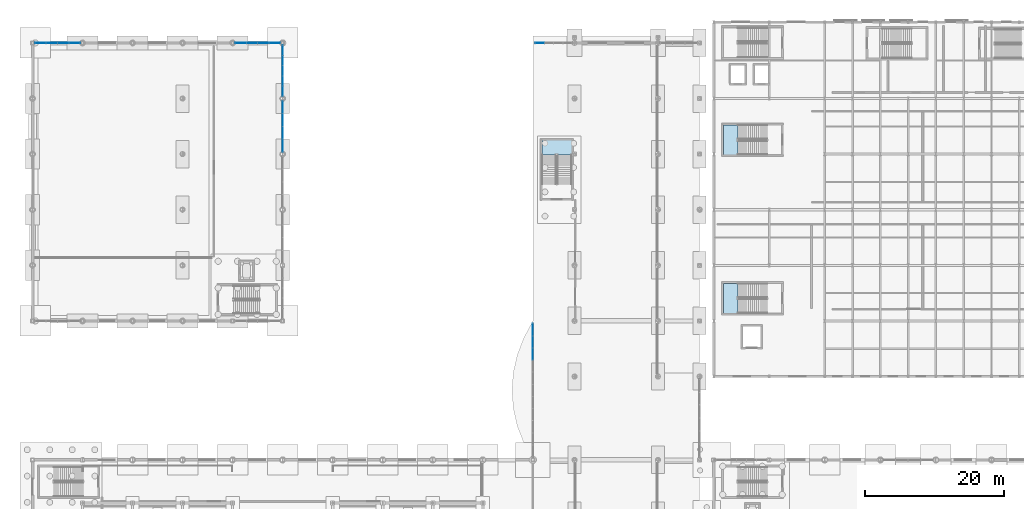
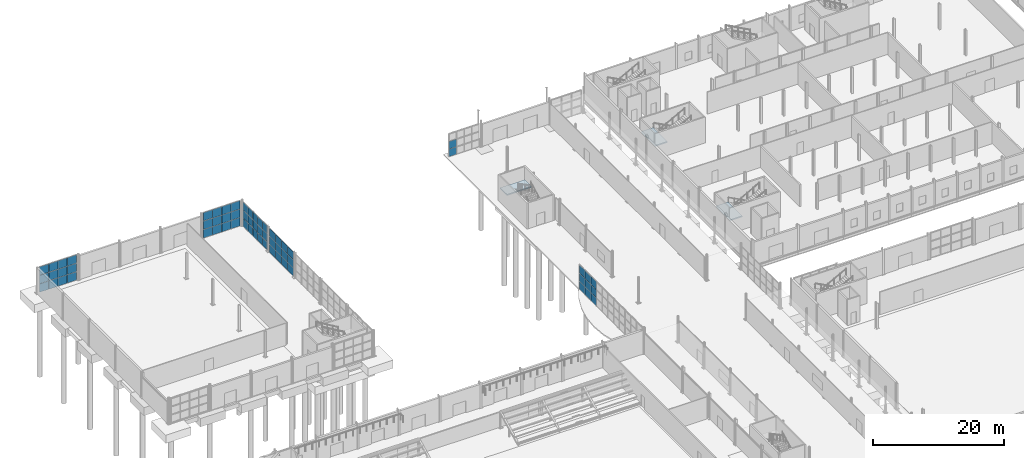
# One storey, part 66 of 101: 62 plates, 3 slabs, 9 elements without a shape of their own.
"""IFC4 building model written with IfcOpenShell, lengths in metres."""

from ifc_helpers import new_model, si_unit, derived_unit, direction, frame, origin, origin_2d, place, context, subcontext, project, spatial, polyline, rectangle, outline, extrude, material, layer, layer_set, type_object, element, aggregate, save


model = new_model("IFC4")

# Units and contexts
model_context = context("Model", 3, precision=1e-05, world=origin(), true_north=direction((0.0, 1.0)))
body_context = subcontext(model_context, "Body", "Model", "MODEL_VIEW")
ifc_project = project(units=[si_unit("LENGTHUNIT", "METRE"), si_unit("AREAUNIT", "SQUARE_METRE"), si_unit("VOLUMEUNIT", "CUBIC_METRE"), si_unit("PLANEANGLEUNIT", "RADIAN"), si_unit("MASSUNIT", "GRAM", prefix="KILO"), derived_unit("THERMALTRANSMITTANCEUNIT", [(si_unit("POWERUNIT", "WATT"), 1), (si_unit("LENGTHUNIT", "METRE"), -2), (si_unit("THERMODYNAMICTEMPERATUREUNIT", "KELVIN"), -1)])], contexts=[model_context])

# Site, building, storey
site_placement = place(None, origin())
site = spatial("IfcSite", under=ifc_project, at=site_placement, CompositionType="ELEMENT")
building_placement = place(site_placement, origin())
building = spatial("IfcBuilding", under=site, at=building_placement, Name="Keldorne Ridge Multi-Sports Centre", CompositionType="ELEMENT")
storey_placement = place(building_placement, origin())
storey = spatial("IfcBuildingStorey", under=building, at=storey_placement, Name="L00", CompositionType="ELEMENT", Elevation=0.0)

# Curtain wall, plates
ifc_material_1 = material(Name="Anodized aluminium", Category="aluminium")
curtain_wall_type_1 = type_object("IfcCurtainWallType", Name="CW-CW-03", PredefinedType="NOTDEFINED", material=ifc_material_1)
curtain_wall_1_placement = place(storey_placement, origin())
curtain_wall_1 = element("IfcCurtainWall", 1, at=curtain_wall_1_placement, inside=storey, type_object=curtain_wall_type_1, Name="Climbing east courtyard glazing L00 067", PredefinedType="NOTDEFINED")
ifc_material_2 = material(Name="Double low-e insulated glazing", Category="glass")
ifc_layer_1 = layer(ifc_material_2, 0.035888671875)
ifc_layer_set_1 = layer_set([ifc_layer_1])
plate_type_1 = type_object("IfcPlateType", Name="PLT-GL-01", PredefinedType="CURTAIN_PANEL", material=ifc_layer_set_1)
plate_1_placement = place(storey_placement, frame((42.0, 99.2548828125, 0.02001953125), z_axis=(0.0, 0.0, 1.0), x_axis=(0.0, 1.0, 0.0)))
plate_1 = element("IfcPlate", 2, at=plate_1_placement, type_object=plate_type_1, Name="CW-067 glazed panel 1.1", PredefinedType="CURTAIN_PANEL", context=body_context, shape_type="SweptSolid", body=[
    extrude(rectangle(XDim=1.7900390625, YDim=0.035888671875, at=origin_2d()), origin(), (0.0, 0.0, 1.0), 1.476806640625),
])
plate_2_placement = place(storey_placement, frame((42.0, 99.2548828125, 1.53662109375), z_axis=(0.0, 0.0, 1.0), x_axis=(0.0, 1.0, 0.0)))
plate_2 = element("IfcPlate", 3, at=plate_2_placement, type_object=plate_type_1, Name="CW-067 glazed panel 1.2", PredefinedType="CURTAIN_PANEL", context=body_context, shape_type="SweptSolid", body=[
    extrude(rectangle(XDim=1.7900390625, YDim=0.035888671875, at=origin_2d()), origin(), (0.0, 0.0, 1.0), 1.476806640625),
])
plate_3_placement = place(storey_placement, frame((42.0, 99.2548828125, 3.05322265625), z_axis=(0.0, 0.0, 1.0), x_axis=(0.0, 1.0, 0.0)))
plate_3 = element("IfcPlate", 4, at=plate_3_placement, type_object=plate_type_1, Name="CW-067 glazed panel 1.3", PredefinedType="CURTAIN_PANEL", context=body_context, shape_type="SweptSolid", body=[
    extrude(rectangle(XDim=1.7900390625, YDim=0.035888671875, at=origin_2d()), origin(), (0.0, 0.0, 1.0), 1.476806640625),
])
plate_4_placement = place(storey_placement, frame((42.0, 101.0849609375, 0.02001953125), z_axis=(0.0, 0.0, 1.0), x_axis=(0.0, 1.0, 0.0)))
plate_4 = element("IfcPlate", 5, at=plate_4_placement, type_object=plate_type_1, Name="CW-067 glazed panel 2.1", PredefinedType="CURTAIN_PANEL", context=body_context, shape_type="SweptSolid", body=[
    extrude(rectangle(XDim=1.7900390625, YDim=0.035888671875, at=origin_2d()), origin(), (0.0, 0.0, 1.0), 1.476806640625),
])
plate_5_placement = place(storey_placement, frame((42.0, 101.0849609375, 1.53662109375), z_axis=(0.0, 0.0, 1.0), x_axis=(0.0, 1.0, 0.0)))
plate_5 = element("IfcPlate", 6, at=plate_5_placement, type_object=plate_type_1, Name="CW-067 glazed panel 2.2", PredefinedType="CURTAIN_PANEL", context=body_context, shape_type="SweptSolid", body=[
    extrude(rectangle(XDim=1.7900390625, YDim=0.035888671875, at=origin_2d()), origin(), (0.0, 0.0, 1.0), 1.476806640625),
])
plate_6_placement = place(storey_placement, frame((42.0, 101.0849609375, 3.05322265625), z_axis=(0.0, 0.0, 1.0), x_axis=(0.0, 1.0, 0.0)))
plate_6 = element("IfcPlate", 7, at=plate_6_placement, type_object=plate_type_1, Name="CW-067 glazed panel 2.3", PredefinedType="CURTAIN_PANEL", context=body_context, shape_type="SweptSolid", body=[
    extrude(rectangle(XDim=1.7900390625, YDim=0.035888671875, at=origin_2d()), origin(), (0.0, 0.0, 1.0), 1.476806640625),
])
plate_7_placement = place(storey_placement, frame((42.0, 102.9150390625, 0.02001953125), z_axis=(0.0, 0.0, 1.0), x_axis=(0.0, 1.0, 0.0)))
plate_7 = element("IfcPlate", 8, at=plate_7_placement, type_object=plate_type_1, Name="CW-067 glazed panel 3.1", PredefinedType="CURTAIN_PANEL", context=body_context, shape_type="SweptSolid", body=[
    extrude(rectangle(XDim=1.7900390625, YDim=0.035888671875, at=origin_2d()), origin(), (0.0, 0.0, 1.0), 1.476806640625),
])
plate_8_placement = place(storey_placement, frame((42.0, 102.9150390625, 1.53662109375), z_axis=(0.0, 0.0, 1.0), x_axis=(0.0, 1.0, 0.0)))
plate_8 = element("IfcPlate", 9, at=plate_8_placement, type_object=plate_type_1, Name="CW-067 glazed panel 3.2", PredefinedType="CURTAIN_PANEL", context=body_context, shape_type="SweptSolid", body=[
    extrude(rectangle(XDim=1.7900390625, YDim=0.035888671875, at=origin_2d()), origin(), (0.0, 0.0, 1.0), 1.476806640625),
])
plate_9_placement = place(storey_placement, frame((42.0, 102.9150390625, 3.05322265625), z_axis=(0.0, 0.0, 1.0), x_axis=(0.0, 1.0, 0.0)))
plate_9 = element("IfcPlate", 10, at=plate_9_placement, type_object=plate_type_1, Name="CW-067 glazed panel 3.3", PredefinedType="CURTAIN_PANEL", context=body_context, shape_type="SweptSolid", body=[
    extrude(rectangle(XDim=1.7900390625, YDim=0.035888671875, at=origin_2d()), origin(), (0.0, 0.0, 1.0), 1.476806640625),
])
plate_10_placement = place(storey_placement, frame((42.0, 104.7451171875, 0.02001953125), z_axis=(0.0, 0.0, 1.0), x_axis=(0.0, 1.0, 0.0)))
plate_10 = element("IfcPlate", 11, at=plate_10_placement, type_object=plate_type_1, Name="CW-067 glazed panel 4.1", PredefinedType="CURTAIN_PANEL", context=body_context, shape_type="SweptSolid", body=[
    extrude(rectangle(XDim=1.7900390625, YDim=0.035888671875, at=origin_2d()), origin(), (0.0, 0.0, 1.0), 1.476806640625),
])
plate_11_placement = place(storey_placement, frame((42.0, 104.7451171875, 1.53662109375), z_axis=(0.0, 0.0, 1.0), x_axis=(0.0, 1.0, 0.0)))
plate_11 = element("IfcPlate", 12, at=plate_11_placement, type_object=plate_type_1, Name="CW-067 glazed panel 4.2", PredefinedType="CURTAIN_PANEL", context=body_context, shape_type="SweptSolid", body=[
    extrude(rectangle(XDim=1.7900390625, YDim=0.035888671875, at=origin_2d()), origin(), (0.0, 0.0, 1.0), 1.476806640625),
])
plate_12_placement = place(storey_placement, frame((42.0, 104.7451171875, 3.05322265625), z_axis=(0.0, 0.0, 1.0), x_axis=(0.0, 1.0, 0.0)))
plate_12 = element("IfcPlate", 13, at=plate_12_placement, type_object=plate_type_1, Name="CW-067 glazed panel 4.3", PredefinedType="CURTAIN_PANEL", context=body_context, shape_type="SweptSolid", body=[
    extrude(rectangle(XDim=1.7900390625, YDim=0.035888671875, at=origin_2d()), origin(), (0.0, 0.0, 1.0), 1.476806640625),
])
aggregate(curtain_wall_1, [plate_1, plate_2, plate_3, plate_4, plate_5, plate_6, plate_7, plate_8, plate_9, plate_10, plate_11, plate_12])

curtain_wall_type_2 = type_object("IfcCurtainWallType", Name="CW-CW-06", PredefinedType="NOTDEFINED", material=ifc_material_1)
curtain_wall_2_placement = place(storey_placement, origin())
curtain_wall_2 = element("IfcCurtainWall", 14, at=curtain_wall_2_placement, inside=storey, type_object=curtain_wall_type_2, Name="Climbing east courtyard glazing L00 070", PredefinedType="NOTDEFINED")
plate_13_placement = place(storey_placement, frame((42.0, 107.072021484375, 0.02001953125), z_axis=(0.0, 0.0, 1.0), x_axis=(0.0, 1.0, 0.0)))
plate_13 = element("IfcPlate", 15, at=plate_13_placement, type_object=plate_type_1, Name="CW-070 glazed panel 1.1", PredefinedType="CURTAIN_PANEL", context=body_context, shape_type="SweptSolid", body=[
    extrude(rectangle(XDim=1.424072265625, YDim=0.035888671875, at=origin_2d()), origin(), (0.0, 0.0, 1.0), 1.476806640625),
])
plate_14_placement = place(storey_placement, frame((42.0, 107.072021484375, 1.53662109375), z_axis=(0.0, 0.0, 1.0), x_axis=(0.0, 1.0, 0.0)))
plate_14 = element("IfcPlate", 16, at=plate_14_placement, type_object=plate_type_1, Name="CW-070 glazed panel 1.2", PredefinedType="CURTAIN_PANEL", context=body_context, shape_type="SweptSolid", body=[
    extrude(rectangle(XDim=1.424072265625, YDim=0.035888671875, at=origin_2d()), origin(), (0.0, 0.0, 1.0), 1.476806640625),
])
plate_15_placement = place(storey_placement, frame((42.0, 107.072021484375, 3.05322265625), z_axis=(0.0, 0.0, 1.0), x_axis=(0.0, 1.0, 0.0)))
plate_15 = element("IfcPlate", 17, at=plate_15_placement, type_object=plate_type_1, Name="CW-070 glazed panel 1.3", PredefinedType="CURTAIN_PANEL", context=body_context, shape_type="SweptSolid", body=[
    extrude(rectangle(XDim=1.424072265625, YDim=0.035888671875, at=origin_2d()), origin(), (0.0, 0.0, 1.0), 1.476806640625),
])
plate_16_placement = place(storey_placement, frame((42.0, 108.535888671875, 0.02001953125), z_axis=(0.0, 0.0, 1.0), x_axis=(0.0, 1.0, 0.0)))
plate_16 = element("IfcPlate", 18, at=plate_16_placement, type_object=plate_type_1, Name="CW-070 glazed panel 2.1", PredefinedType="CURTAIN_PANEL", context=body_context, shape_type="SweptSolid", body=[
    extrude(rectangle(XDim=1.424072265625, YDim=0.035888671875, at=origin_2d()), origin(), (0.0, 0.0, 1.0), 1.476806640625),
])
plate_17_placement = place(storey_placement, frame((42.0, 108.535888671875, 1.53662109375), z_axis=(0.0, 0.0, 1.0), x_axis=(0.0, 1.0, 0.0)))
plate_17 = element("IfcPlate", 19, at=plate_17_placement, type_object=plate_type_1, Name="CW-070 glazed panel 2.2", PredefinedType="CURTAIN_PANEL", context=body_context, shape_type="SweptSolid", body=[
    extrude(rectangle(XDim=1.424072265625, YDim=0.035888671875, at=origin_2d()), origin(), (0.0, 0.0, 1.0), 1.476806640625),
])
plate_18_placement = place(storey_placement, frame((42.0, 108.535888671875, 3.05322265625), z_axis=(0.0, 0.0, 1.0), x_axis=(0.0, 1.0, 0.0)))
plate_18 = element("IfcPlate", 20, at=plate_18_placement, type_object=plate_type_1, Name="CW-070 glazed panel 2.3", PredefinedType="CURTAIN_PANEL", context=body_context, shape_type="SweptSolid", body=[
    extrude(rectangle(XDim=1.424072265625, YDim=0.035888671875, at=origin_2d()), origin(), (0.0, 0.0, 1.0), 1.476806640625),
])
plate_19_placement = place(storey_placement, frame((42.0, 110.0, 0.02001953125), z_axis=(0.0, 0.0, 1.0), x_axis=(0.0, 1.0, 0.0)))
plate_19 = element("IfcPlate", 21, at=plate_19_placement, type_object=plate_type_1, Name="CW-070 glazed panel 3.1", PredefinedType="CURTAIN_PANEL", context=body_context, shape_type="SweptSolid", body=[
    extrude(rectangle(XDim=1.424072265625, YDim=0.035888671875, at=origin_2d()), origin(), (0.0, 0.0, 1.0), 1.476806640625),
])
plate_20_placement = place(storey_placement, frame((42.0, 110.0, 1.53662109375), z_axis=(0.0, 0.0, 1.0), x_axis=(0.0, 1.0, 0.0)))
plate_20 = element("IfcPlate", 22, at=plate_20_placement, type_object=plate_type_1, Name="CW-070 glazed panel 3.2", PredefinedType="CURTAIN_PANEL", context=body_context, shape_type="SweptSolid", body=[
    extrude(rectangle(XDim=1.424072265625, YDim=0.035888671875, at=origin_2d()), origin(), (0.0, 0.0, 1.0), 1.476806640625),
])
plate_21_placement = place(storey_placement, frame((42.0, 110.0, 3.05322265625), z_axis=(0.0, 0.0, 1.0), x_axis=(0.0, 1.0, 0.0)))
plate_21 = element("IfcPlate", 23, at=plate_21_placement, type_object=plate_type_1, Name="CW-070 glazed panel 3.3", PredefinedType="CURTAIN_PANEL", context=body_context, shape_type="SweptSolid", body=[
    extrude(rectangle(XDim=1.424072265625, YDim=0.035888671875, at=origin_2d()), origin(), (0.0, 0.0, 1.0), 1.476806640625),
])
plate_22_placement = place(storey_placement, frame((42.0, 111.464111328125, 0.02001953125), z_axis=(0.0, 0.0, 1.0), x_axis=(0.0, 1.0, 0.0)))
plate_22 = element("IfcPlate", 24, at=plate_22_placement, type_object=plate_type_1, Name="CW-070 glazed panel 4.1", PredefinedType="CURTAIN_PANEL", context=body_context, shape_type="SweptSolid", body=[
    extrude(rectangle(XDim=1.424072265625, YDim=0.035888671875, at=origin_2d()), origin(), (0.0, 0.0, 1.0), 1.476806640625),
])
plate_23_placement = place(storey_placement, frame((42.0, 111.464111328125, 1.53662109375), z_axis=(0.0, 0.0, 1.0), x_axis=(0.0, 1.0, 0.0)))
plate_23 = element("IfcPlate", 25, at=plate_23_placement, type_object=plate_type_1, Name="CW-070 glazed panel 4.2", PredefinedType="CURTAIN_PANEL", context=body_context, shape_type="SweptSolid", body=[
    extrude(rectangle(XDim=1.424072265625, YDim=0.035888671875, at=origin_2d()), origin(), (0.0, 0.0, 1.0), 1.476806640625),
])
plate_24_placement = place(storey_placement, frame((42.0, 111.464111328125, 3.05322265625), z_axis=(0.0, 0.0, 1.0), x_axis=(0.0, 1.0, 0.0)))
plate_24 = element("IfcPlate", 26, at=plate_24_placement, type_object=plate_type_1, Name="CW-070 glazed panel 4.3", PredefinedType="CURTAIN_PANEL", context=body_context, shape_type="SweptSolid", body=[
    extrude(rectangle(XDim=1.424072265625, YDim=0.035888671875, at=origin_2d()), origin(), (0.0, 0.0, 1.0), 1.476806640625),
])
plate_25_placement = place(storey_placement, frame((42.0, 112.927978515625, 0.02001953125), z_axis=(0.0, 0.0, 1.0), x_axis=(0.0, 1.0, 0.0)))
plate_25 = element("IfcPlate", 27, at=plate_25_placement, type_object=plate_type_1, Name="CW-070 glazed panel 5.1", PredefinedType="CURTAIN_PANEL", context=body_context, shape_type="SweptSolid", body=[
    extrude(rectangle(XDim=1.424072265625, YDim=0.035888671875, at=origin_2d()), origin(), (0.0, 0.0, 1.0), 1.476806640625),
])
plate_26_placement = place(storey_placement, frame((42.0, 112.927978515625, 1.53662109375), z_axis=(0.0, 0.0, 1.0), x_axis=(0.0, 1.0, 0.0)))
plate_26 = element("IfcPlate", 28, at=plate_26_placement, type_object=plate_type_1, Name="CW-070 glazed panel 5.2", PredefinedType="CURTAIN_PANEL", context=body_context, shape_type="SweptSolid", body=[
    extrude(rectangle(XDim=1.424072265625, YDim=0.035888671875, at=origin_2d()), origin(), (0.0, 0.0, 1.0), 1.476806640625),
])
plate_27_placement = place(storey_placement, frame((42.0, 112.927978515625, 3.05322265625), z_axis=(0.0, 0.0, 1.0), x_axis=(0.0, 1.0, 0.0)))
plate_27 = element("IfcPlate", 29, at=plate_27_placement, type_object=plate_type_1, Name="CW-070 glazed panel 5.3", PredefinedType="CURTAIN_PANEL", context=body_context, shape_type="SweptSolid", body=[
    extrude(rectangle(XDim=1.424072265625, YDim=0.035888671875, at=origin_2d()), origin(), (0.0, 0.0, 1.0), 1.476806640625),
])
aggregate(curtain_wall_2, [plate_13, plate_14, plate_15, plate_16, plate_17, plate_18, plate_19, plate_20, plate_21, plate_22, plate_23, plate_24, plate_25, plate_26, plate_27])

curtain_wall_3_placement = place(storey_placement, origin())
curtain_wall_3 = element("IfcCurtainWall", 30, at=curtain_wall_3_placement, inside=storey, type_object=curtain_wall_type_1, Name="Passage west courtyard curtain wall L00 083", PredefinedType="NOTDEFINED")
plate_28_placement = place(storey_placement, frame((78.0, 72.727294921875, 0.02001953125), z_axis=(0.0, 0.0, 1.0), x_axis=(0.0, -1.0, 0.0)))
plate_28 = element("IfcPlate", 31, at=plate_28_placement, type_object=plate_type_1, Name="CW-083 glazed panel 1.1", PredefinedType="CURTAIN_PANEL", context=body_context, shape_type="SweptSolid", body=[
    extrude(rectangle(XDim=1.70556640625, YDim=0.035888671875, at=origin_2d()), origin(), (0.0, 0.0, 1.0), 1.476806640625),
])
plate_29_placement = place(storey_placement, frame((78.0, 72.727294921875, 1.53662109375), z_axis=(0.0, 0.0, 1.0), x_axis=(0.0, -1.0, 0.0)))
plate_29 = element("IfcPlate", 32, at=plate_29_placement, type_object=plate_type_1, Name="CW-083 glazed panel 1.2", PredefinedType="CURTAIN_PANEL", context=body_context, shape_type="SweptSolid", body=[
    extrude(rectangle(XDim=1.70556640625, YDim=0.035888671875, at=origin_2d()), origin(), (0.0, 0.0, 1.0), 1.476806640625),
])
plate_30_placement = place(storey_placement, frame((78.0, 72.727294921875, 3.05322265625), z_axis=(0.0, 0.0, 1.0), x_axis=(0.0, -1.0, 0.0)))
plate_30 = element("IfcPlate", 33, at=plate_30_placement, type_object=plate_type_1, Name="CW-083 glazed panel 1.3", PredefinedType="CURTAIN_PANEL", context=body_context, shape_type="SweptSolid", body=[
    extrude(rectangle(XDim=1.70556640625, YDim=0.035888671875, at=origin_2d()), origin(), (0.0, 0.0, 1.0), 1.476806640625),
])
plate_31_placement = place(storey_placement, frame((78.0, 70.981689453125, 0.02001953125), z_axis=(0.0, 0.0, 1.0), x_axis=(0.0, -1.0, 0.0)))
plate_31 = element("IfcPlate", 34, at=plate_31_placement, type_object=plate_type_1, Name="CW-083 glazed panel 2.1", PredefinedType="CURTAIN_PANEL", context=body_context, shape_type="SweptSolid", body=[
    extrude(rectangle(XDim=1.70556640625, YDim=0.035888671875, at=origin_2d()), origin(), (0.0, 0.0, 1.0), 1.476806640625),
])
plate_32_placement = place(storey_placement, frame((78.0, 70.981689453125, 1.53662109375), z_axis=(0.0, 0.0, 1.0), x_axis=(0.0, -1.0, 0.0)))
plate_32 = element("IfcPlate", 35, at=plate_32_placement, type_object=plate_type_1, Name="CW-083 glazed panel 2.2", PredefinedType="CURTAIN_PANEL", context=body_context, shape_type="SweptSolid", body=[
    extrude(rectangle(XDim=1.70556640625, YDim=0.035888671875, at=origin_2d()), origin(), (0.0, 0.0, 1.0), 1.476806640625),
])
plate_33_placement = place(storey_placement, frame((78.0, 70.981689453125, 3.05322265625), z_axis=(0.0, 0.0, 1.0), x_axis=(0.0, -1.0, 0.0)))
plate_33 = element("IfcPlate", 36, at=plate_33_placement, type_object=plate_type_1, Name="CW-083 glazed panel 2.3", PredefinedType="CURTAIN_PANEL", context=body_context, shape_type="SweptSolid", body=[
    extrude(rectangle(XDim=1.70556640625, YDim=0.035888671875, at=origin_2d()), origin(), (0.0, 0.0, 1.0), 1.476806640625),
])
plate_34_placement = place(storey_placement, frame((78.0, 69.236328125, 0.02001953125), z_axis=(0.0, 0.0, 1.0), x_axis=(0.0, -1.0, 0.0)))
plate_34 = element("IfcPlate", 37, at=plate_34_placement, type_object=plate_type_1, Name="CW-083 glazed panel 3.1", PredefinedType="CURTAIN_PANEL", context=body_context, shape_type="SweptSolid", body=[
    extrude(rectangle(XDim=1.70556640625, YDim=0.035888671875, at=origin_2d()), origin(), (0.0, 0.0, 1.0), 1.476806640625),
])
plate_35_placement = place(storey_placement, frame((78.0, 69.236328125, 1.53662109375), z_axis=(0.0, 0.0, 1.0), x_axis=(0.0, -1.0, 0.0)))
plate_35 = element("IfcPlate", 38, at=plate_35_placement, type_object=plate_type_1, Name="CW-083 glazed panel 3.2", PredefinedType="CURTAIN_PANEL", context=body_context, shape_type="SweptSolid", body=[
    extrude(rectangle(XDim=1.70556640625, YDim=0.035888671875, at=origin_2d()), origin(), (0.0, 0.0, 1.0), 1.476806640625),
])
plate_36_placement = place(storey_placement, frame((78.0, 69.236328125, 3.05322265625), z_axis=(0.0, 0.0, 1.0), x_axis=(0.0, -1.0, 0.0)))
plate_36 = element("IfcPlate", 39, at=plate_36_placement, type_object=plate_type_1, Name="CW-083 glazed panel 3.3", PredefinedType="CURTAIN_PANEL", context=body_context, shape_type="SweptSolid", body=[
    extrude(rectangle(XDim=1.70556640625, YDim=0.035888671875, at=origin_2d()), origin(), (0.0, 0.0, 1.0), 1.476806640625),
])
aggregate(curtain_wall_3, [plate_28, plate_29, plate_30, plate_31, plate_32, plate_33, plate_34, plate_35, plate_36])

curtain_wall_type_3 = type_object("IfcCurtainWallType", Name="CW-CW-05", PredefinedType="NOTDEFINED", material=ifc_material_1)
curtain_wall_4_placement = place(storey_placement, origin())
curtain_wall_4 = element("IfcCurtainWall", 40, at=curtain_wall_4_placement, inside=storey, type_object=curtain_wall_type_3, Name="Climbing north glazing L00 037", PredefinedType="NOTDEFINED")
ifc_material_3 = material(Name="Triple acoustic low-e glazing", Category="glass")
ifc_layer_2 = layer(ifc_material_3, 0.0439453125)
ifc_layer_set_2 = layer_set([ifc_layer_2])
plate_type_2 = type_object("IfcPlateType", Name="PLT-GL-02", PredefinedType="CURTAIN_PANEL", material=ifc_layer_set_2)
plate_37_placement = place(storey_placement, frame((12.044921875, 114.0, 0.02001953125), z_axis=(0.0, 0.0, 1.0), x_axis=(-1.0, 0.0, 0.0)))
plate_37 = element("IfcPlate", 41, at=plate_37_placement, type_object=plate_type_2, Name="CW-037 glazed panel 1.1", PredefinedType="CURTAIN_PANEL", context=body_context, shape_type="SweptSolid", body=[
    extrude(rectangle(XDim=1.590087890625, YDim=0.0439453125, at=origin_2d()), origin(), (0.0, 0.0, 1.0), 1.543212890625),
])
plate_38_placement = place(storey_placement, frame((12.044921875, 114.0, 1.603515625), z_axis=(0.0, 0.0, 1.0), x_axis=(-1.0, 0.0, 0.0)))
plate_38 = element("IfcPlate", 42, at=plate_38_placement, type_object=plate_type_2, Name="CW-037 glazed panel 1.2", PredefinedType="CURTAIN_PANEL", context=body_context, shape_type="SweptSolid", body=[
    extrude(rectangle(XDim=1.590087890625, YDim=0.0439453125, at=origin_2d()), origin(), (0.0, 0.0, 1.0), 1.543212890625),
])
plate_39_placement = place(storey_placement, frame((12.044921875, 114.0, 3.1865234375), z_axis=(0.0, 0.0, 1.0), x_axis=(-1.0, 0.0, 0.0)))
plate_39 = element("IfcPlate", 43, at=plate_39_placement, type_object=plate_type_2, Name="CW-037 glazed panel 1.3", PredefinedType="CURTAIN_PANEL", context=body_context, shape_type="SweptSolid", body=[
    extrude(rectangle(XDim=1.590087890625, YDim=0.0439453125, at=origin_2d()), origin(), (0.0, 0.0, 1.0), 1.543212890625),
])
plate_40_placement = place(storey_placement, frame((10.4150390625, 114.0, 0.02001953125), z_axis=(0.0, 0.0, 1.0), x_axis=(-1.0, 0.0, 0.0)))
plate_40 = element("IfcPlate", 44, at=plate_40_placement, type_object=plate_type_2, Name="CW-037 glazed panel 2.1", PredefinedType="CURTAIN_PANEL", context=body_context, shape_type="SweptSolid", body=[
    extrude(rectangle(XDim=1.590087890625, YDim=0.0439453125, at=origin_2d()), origin(), (0.0, 0.0, 1.0), 1.543212890625),
])
plate_41_placement = place(storey_placement, frame((10.4150390625, 114.0, 1.603515625), z_axis=(0.0, 0.0, 1.0), x_axis=(-1.0, 0.0, 0.0)))
plate_41 = element("IfcPlate", 45, at=plate_41_placement, type_object=plate_type_2, Name="CW-037 glazed panel 2.2", PredefinedType="CURTAIN_PANEL", context=body_context, shape_type="SweptSolid", body=[
    extrude(rectangle(XDim=1.590087890625, YDim=0.0439453125, at=origin_2d()), origin(), (0.0, 0.0, 1.0), 1.543212890625),
])
plate_42_placement = place(storey_placement, frame((10.4150390625, 114.0, 3.1865234375), z_axis=(0.0, 0.0, 1.0), x_axis=(-1.0, 0.0, 0.0)))
plate_42 = element("IfcPlate", 46, at=plate_42_placement, type_object=plate_type_2, Name="CW-037 glazed panel 2.3", PredefinedType="CURTAIN_PANEL", context=body_context, shape_type="SweptSolid", body=[
    extrude(rectangle(XDim=1.590087890625, YDim=0.0439453125, at=origin_2d()), origin(), (0.0, 0.0, 1.0), 1.543212890625),
])
plate_43_placement = place(storey_placement, frame((8.784912109375, 114.0, 0.02001953125), z_axis=(0.0, 0.0, 1.0), x_axis=(-1.0, 0.0, 0.0)))
plate_43 = element("IfcPlate", 47, at=plate_43_placement, type_object=plate_type_2, Name="CW-037 glazed panel 3.1", PredefinedType="CURTAIN_PANEL", context=body_context, shape_type="SweptSolid", body=[
    extrude(rectangle(XDim=1.590087890625, YDim=0.0439453125, at=origin_2d()), origin(), (0.0, 0.0, 1.0), 1.543212890625),
])
plate_44_placement = place(storey_placement, frame((8.784912109375, 114.0, 1.603515625), z_axis=(0.0, 0.0, 1.0), x_axis=(-1.0, 0.0, 0.0)))
plate_44 = element("IfcPlate", 48, at=plate_44_placement, type_object=plate_type_2, Name="CW-037 glazed panel 3.2", PredefinedType="CURTAIN_PANEL", context=body_context, shape_type="SweptSolid", body=[
    extrude(rectangle(XDim=1.590087890625, YDim=0.0439453125, at=origin_2d()), origin(), (0.0, 0.0, 1.0), 1.543212890625),
])
plate_45_placement = place(storey_placement, frame((8.784912109375, 114.0, 3.1865234375), z_axis=(0.0, 0.0, 1.0), x_axis=(-1.0, 0.0, 0.0)))
plate_45 = element("IfcPlate", 49, at=plate_45_placement, type_object=plate_type_2, Name="CW-037 glazed panel 3.3", PredefinedType="CURTAIN_PANEL", context=body_context, shape_type="SweptSolid", body=[
    extrude(rectangle(XDim=1.590087890625, YDim=0.0439453125, at=origin_2d()), origin(), (0.0, 0.0, 1.0), 1.543212890625),
])
plate_46_placement = place(storey_placement, frame((7.155029296875, 114.0, 0.02001953125), z_axis=(0.0, 0.0, 1.0), x_axis=(-1.0, 0.0, 0.0)))
plate_46 = element("IfcPlate", 50, at=plate_46_placement, type_object=plate_type_2, Name="CW-037 glazed panel 4.1", PredefinedType="CURTAIN_PANEL", context=body_context, shape_type="SweptSolid", body=[
    extrude(rectangle(XDim=1.590087890625, YDim=0.0439453125, at=origin_2d()), origin(), (0.0, 0.0, 1.0), 1.543212890625),
])
plate_47_placement = place(storey_placement, frame((7.155029296875, 114.0, 1.603515625), z_axis=(0.0, 0.0, 1.0), x_axis=(-1.0, 0.0, 0.0)))
plate_47 = element("IfcPlate", 51, at=plate_47_placement, type_object=plate_type_2, Name="CW-037 glazed panel 4.2", PredefinedType="CURTAIN_PANEL", context=body_context, shape_type="SweptSolid", body=[
    extrude(rectangle(XDim=1.590087890625, YDim=0.0439453125, at=origin_2d()), origin(), (0.0, 0.0, 1.0), 1.543212890625),
])
plate_48_placement = place(storey_placement, frame((7.155029296875, 114.0, 3.1865234375), z_axis=(0.0, 0.0, 1.0), x_axis=(-1.0, 0.0, 0.0)))
plate_48 = element("IfcPlate", 52, at=plate_48_placement, type_object=plate_type_2, Name="CW-037 glazed panel 4.3", PredefinedType="CURTAIN_PANEL", context=body_context, shape_type="SweptSolid", body=[
    extrude(rectangle(XDim=1.590087890625, YDim=0.0439453125, at=origin_2d()), origin(), (0.0, 0.0, 1.0), 1.543212890625),
])
aggregate(curtain_wall_4, [plate_37, plate_38, plate_39, plate_40, plate_41, plate_42, plate_43, plate_44, plate_45, plate_46, plate_47, plate_48])

curtain_wall_type_4 = type_object("IfcCurtainWallType", Name="CW-CW-07", PredefinedType="NOTDEFINED", material=ifc_material_1)
curtain_wall_5_placement = place(storey_placement, origin())
curtain_wall_5 = element("IfcCurtainWall", 53, at=curtain_wall_5_placement, inside=storey, type_object=curtain_wall_type_4, Name="Climbing north glazing L00 055", PredefinedType="NOTDEFINED")
plate_49_placement = place(storey_placement, frame((40.844970703125, 114.0, 0.02001953125), z_axis=(0.0, 0.0, 1.0), x_axis=(-1.0, 0.0, 0.0)))
plate_49 = element("IfcPlate", 54, at=plate_49_placement, type_object=plate_type_2, Name="CW-055 glazed panel 1.1", PredefinedType="CURTAIN_PANEL", context=body_context, shape_type="SweptSolid", body=[
    extrude(rectangle(XDim=1.590087890625, YDim=0.0439453125, at=origin_2d()), origin(), (0.0, 0.0, 1.0), 1.543212890625),
])
plate_50_placement = place(storey_placement, frame((40.844970703125, 114.0, 1.603515625), z_axis=(0.0, 0.0, 1.0), x_axis=(-1.0, 0.0, 0.0)))
plate_50 = element("IfcPlate", 55, at=plate_50_placement, type_object=plate_type_2, Name="CW-055 glazed panel 1.2", PredefinedType="CURTAIN_PANEL", context=body_context, shape_type="SweptSolid", body=[
    extrude(rectangle(XDim=1.590087890625, YDim=0.0439453125, at=origin_2d()), origin(), (0.0, 0.0, 1.0), 1.543212890625),
])
plate_51_placement = place(storey_placement, frame((40.844970703125, 114.0, 3.1865234375), z_axis=(0.0, 0.0, 1.0), x_axis=(-1.0, 0.0, 0.0)))
plate_51 = element("IfcPlate", 56, at=plate_51_placement, type_object=plate_type_2, Name="CW-055 glazed panel 1.3", PredefinedType="CURTAIN_PANEL", context=body_context, shape_type="SweptSolid", body=[
    extrude(rectangle(XDim=1.590087890625, YDim=0.0439453125, at=origin_2d()), origin(), (0.0, 0.0, 1.0), 1.543212890625),
])
plate_52_placement = place(storey_placement, frame((39.215087890625, 114.0, 0.02001953125), z_axis=(0.0, 0.0, 1.0), x_axis=(-1.0, 0.0, 0.0)))
plate_52 = element("IfcPlate", 57, at=plate_52_placement, type_object=plate_type_2, Name="CW-055 glazed panel 2.1", PredefinedType="CURTAIN_PANEL", context=body_context, shape_type="SweptSolid", body=[
    extrude(rectangle(XDim=1.590087890625, YDim=0.0439453125, at=origin_2d()), origin(), (0.0, 0.0, 1.0), 1.543212890625),
])
plate_53_placement = place(storey_placement, frame((39.215087890625, 114.0, 1.603515625), z_axis=(0.0, 0.0, 1.0), x_axis=(-1.0, 0.0, 0.0)))
plate_53 = element("IfcPlate", 58, at=plate_53_placement, type_object=plate_type_2, Name="CW-055 glazed panel 2.2", PredefinedType="CURTAIN_PANEL", context=body_context, shape_type="SweptSolid", body=[
    extrude(rectangle(XDim=1.590087890625, YDim=0.0439453125, at=origin_2d()), origin(), (0.0, 0.0, 1.0), 1.543212890625),
])
plate_54_placement = place(storey_placement, frame((39.215087890625, 114.0, 3.1865234375), z_axis=(0.0, 0.0, 1.0), x_axis=(-1.0, 0.0, 0.0)))
plate_54 = element("IfcPlate", 59, at=plate_54_placement, type_object=plate_type_2, Name="CW-055 glazed panel 2.3", PredefinedType="CURTAIN_PANEL", context=body_context, shape_type="SweptSolid", body=[
    extrude(rectangle(XDim=1.590087890625, YDim=0.0439453125, at=origin_2d()), origin(), (0.0, 0.0, 1.0), 1.543212890625),
])
plate_55_placement = place(storey_placement, frame((37.5849609375, 114.0, 0.02001953125), z_axis=(0.0, 0.0, 1.0), x_axis=(-1.0, 0.0, 0.0)))
plate_55 = element("IfcPlate", 60, at=plate_55_placement, type_object=plate_type_2, Name="CW-055 glazed panel 3.1", PredefinedType="CURTAIN_PANEL", context=body_context, shape_type="SweptSolid", body=[
    extrude(rectangle(XDim=1.590087890625, YDim=0.0439453125, at=origin_2d()), origin(), (0.0, 0.0, 1.0), 1.543212890625),
])
plate_56_placement = place(storey_placement, frame((37.5849609375, 114.0, 1.603515625), z_axis=(0.0, 0.0, 1.0), x_axis=(-1.0, 0.0, 0.0)))
plate_56 = element("IfcPlate", 61, at=plate_56_placement, type_object=plate_type_2, Name="CW-055 glazed panel 3.2", PredefinedType="CURTAIN_PANEL", context=body_context, shape_type="SweptSolid", body=[
    extrude(rectangle(XDim=1.590087890625, YDim=0.0439453125, at=origin_2d()), origin(), (0.0, 0.0, 1.0), 1.543212890625),
])
plate_57_placement = place(storey_placement, frame((37.5849609375, 114.0, 3.1865234375), z_axis=(0.0, 0.0, 1.0), x_axis=(-1.0, 0.0, 0.0)))
plate_57 = element("IfcPlate", 62, at=plate_57_placement, type_object=plate_type_2, Name="CW-055 glazed panel 3.3", PredefinedType="CURTAIN_PANEL", context=body_context, shape_type="SweptSolid", body=[
    extrude(rectangle(XDim=1.590087890625, YDim=0.0439453125, at=origin_2d()), origin(), (0.0, 0.0, 1.0), 1.543212890625),
])
plate_58_placement = place(storey_placement, frame((35.955078125, 114.0, 0.02001953125), z_axis=(0.0, 0.0, 1.0), x_axis=(-1.0, 0.0, 0.0)))
plate_58 = element("IfcPlate", 63, at=plate_58_placement, type_object=plate_type_2, Name="CW-055 glazed panel 4.1", PredefinedType="CURTAIN_PANEL", context=body_context, shape_type="SweptSolid", body=[
    extrude(rectangle(XDim=1.590087890625, YDim=0.0439453125, at=origin_2d()), origin(), (0.0, 0.0, 1.0), 1.543212890625),
])
plate_59_placement = place(storey_placement, frame((35.955078125, 114.0, 1.603515625), z_axis=(0.0, 0.0, 1.0), x_axis=(-1.0, 0.0, 0.0)))
plate_59 = element("IfcPlate", 64, at=plate_59_placement, type_object=plate_type_2, Name="CW-055 glazed panel 4.2", PredefinedType="CURTAIN_PANEL", context=body_context, shape_type="SweptSolid", body=[
    extrude(rectangle(XDim=1.590087890625, YDim=0.0439453125, at=origin_2d()), origin(), (0.0, 0.0, 1.0), 1.543212890625),
])
plate_60_placement = place(storey_placement, frame((35.955078125, 114.0, 3.1865234375), z_axis=(0.0, 0.0, 1.0), x_axis=(-1.0, 0.0, 0.0)))
plate_60 = element("IfcPlate", 65, at=plate_60_placement, type_object=plate_type_2, Name="CW-055 glazed panel 4.3", PredefinedType="CURTAIN_PANEL", context=body_context, shape_type="SweptSolid", body=[
    extrude(rectangle(XDim=1.590087890625, YDim=0.0439453125, at=origin_2d()), origin(), (0.0, 0.0, 1.0), 1.543212890625),
])
aggregate(curtain_wall_5, [plate_49, plate_50, plate_51, plate_52, plate_53, plate_54, plate_55, plate_56, plate_57, plate_58, plate_59, plate_60])

curtain_wall_type_5 = type_object("IfcCurtainWallType", Name="CW-CW-01", PredefinedType="NOTDEFINED", material=ifc_material_1)
curtain_wall_6_placement = place(storey_placement, origin())
curtain_wall_6 = element("IfcCurtainWall", 66, at=curtain_wall_6_placement, inside=storey, type_object=curtain_wall_type_5, Name="Public Passage N foyer glazing 081", PredefinedType="NOTDEFINED")
plate_61_placement = place(storey_placement, frame((79.0048828125, 114.0, 0.02001953125), z_axis=(0.0, 0.0, 1.0), x_axis=(-1.0, 0.0, 0.0)))
plate_61 = element("IfcPlate", 67, at=plate_61_placement, type_object=plate_type_2, Name="CW-081 glazed panel 4.1", PredefinedType="CURTAIN_PANEL", context=body_context, shape_type="SweptSolid", body=[
    extrude(rectangle(XDim=1.2900390625, YDim=0.0439453125, at=origin_2d()), origin(), (0.0, 0.0, 1.0), 1.393310546875),
])
plate_62_placement = place(storey_placement, frame((79.0048828125, 114.0, 1.453125), z_axis=(0.0, 0.0, 1.0), x_axis=(-1.0, 0.0, 0.0)))
plate_62 = element("IfcPlate", 68, at=plate_62_placement, type_object=plate_type_2, Name="CW-081 glazed panel 4.2", PredefinedType="CURTAIN_PANEL", context=body_context, shape_type="SweptSolid", body=[
    extrude(rectangle(XDim=1.2900390625, YDim=0.0439453125, at=origin_2d()), origin(), (0.0, 0.0, 1.0), 1.393310546875),
])
aggregate(curtain_wall_6, [plate_61, plate_62])

# Stair, slab
ifc_material_4 = material(Name="Concrete C35/45", Category="concrete")
stair_type = type_object("IfcStairType", Name="STR-S01", PredefinedType="HALF_TURN_STAIR", material=ifc_material_4)
stair_1_placement = place(storey_placement, origin())
stair_1 = element("IfcStair", 69, at=stair_1_placement, inside=storey, type_object=stair_type, Name="L00 East Wing South Core C2", PredefinedType="HALF_TURN_STAIR")
ifc_layer_3 = layer(ifc_material_4, 0.199951171875)
ifc_layer_set_3 = layer_set([ifc_layer_3], Name="Concrete C35/45")
slab_type = type_object("IfcSlabType", Name="SLB-LDG-01", PredefinedType="LANDING", material=ifc_layer_set_3)
slab_1_placement = place(storey_placement, frame((0.0, 0.0, 2.199951171875)))
slab_1 = element("IfcSlab", 70, at=slab_1_placement, type_object=slab_type, Name="ST-02 landing 1", PredefinedType="LANDING", context=body_context, shape_type="SweptSolid", body=[
    extrude(outline(polyline([(107.5, 79.39990234375), (105.39990234375, 79.39990234375), (105.39990234375, 75.10009765625), (107.5, 75.10009765625), (107.5, 79.39990234375)])), origin(), (0.0, 0.0, 1.0), 0.199951171875),
])
aggregate(stair_1, [slab_1])

stair_2_placement = place(storey_placement, origin())
stair_2 = element("IfcStair", 71, at=stair_2_placement, inside=storey, type_object=stair_type, Name="L00 North Foyer Concourse Stair ST-08", PredefinedType="HALF_TURN_STAIR")
slab_2_placement = place(storey_placement, frame((0.0, 0.0, 2.199951171875)))
slab_2 = element("IfcSlab", 72, at=slab_2_placement, type_object=slab_type, Name="ST-08 landing 1", PredefinedType="LANDING", context=body_context, shape_type="SweptSolid", body=[
    extrude(outline(polyline([(83.60009765625, 97.89990234375), (83.60009765625, 100.0), (79.300048828125, 100.0), (79.300048828125, 97.89990234375), (83.60009765625, 97.89990234375)])), origin(), (0.0, 0.0, 1.0), 0.199951171875),
])
aggregate(stair_2, [slab_2])

stair_3_placement = place(storey_placement, origin())
stair_3 = element("IfcStair", 73, at=stair_3_placement, inside=storey, type_object=stair_type, Name="L00 Mid-Wing Escape Stair ST-11", PredefinedType="HALF_TURN_STAIR")
slab_3_placement = place(storey_placement, frame((0.0, 0.0, 2.199951171875)))
slab_3 = element("IfcSlab", 74, at=slab_3_placement, type_object=slab_type, Name="ST-11 landing 1", PredefinedType="LANDING", context=body_context, shape_type="SweptSolid", body=[
    extrude(outline(polyline([(107.5, 102.199951171875), (105.39990234375, 102.199951171875), (105.39990234375, 97.89990234375), (107.5, 97.89990234375), (107.5, 102.199951171875)])), origin(), (0.0, 0.0, 1.0), 0.199951171875),
])
aggregate(stair_3, [slab_3])

save(model, "model.ifc")
